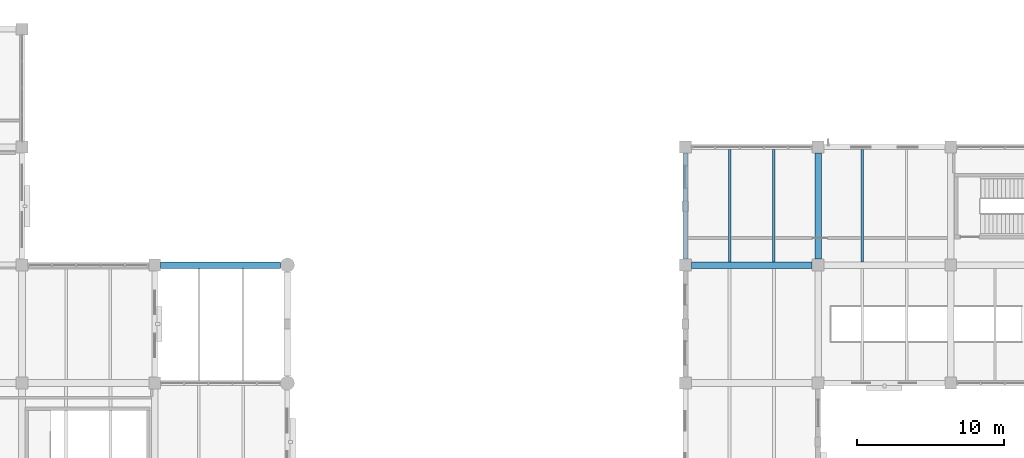
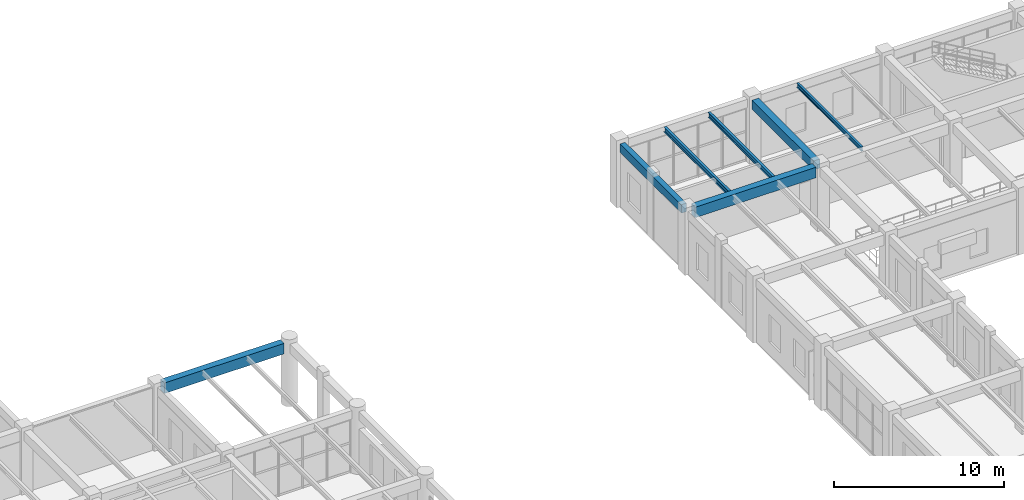
# One storey, part 105 of 178: 7 beams.
"""IFC4 building model written with IfcOpenShell, lengths in metres."""

from ifc_helpers import new_model, si_unit, derived_unit, direction, frame, origin, origin_2d, place, context, subcontext, project, spatial, rectangle, i_section, extrude, material, material_profile, profile_set, type_object, element, save


model = new_model("IFC4")

# Units and contexts
model_context = context("Model", 3, precision=1e-05, world=origin(), true_north=direction((0.0, 1.0)))
body_context = subcontext(model_context, "Body", "Model", "MODEL_VIEW")
ifc_project = project(units=[si_unit("LENGTHUNIT", "METRE"), si_unit("AREAUNIT", "SQUARE_METRE"), si_unit("VOLUMEUNIT", "CUBIC_METRE"), si_unit("PLANEANGLEUNIT", "RADIAN"), si_unit("MASSUNIT", "GRAM", prefix="KILO"), derived_unit("THERMALTRANSMITTANCEUNIT", [(si_unit("MASSUNIT", "GRAM", prefix="KILO"), 1), (si_unit("TIMEUNIT", "SECOND"), -3), (si_unit("THERMODYNAMICTEMPERATUREUNIT", "KELVIN"), -1)])], contexts=[model_context])

# Site, building, storey
site_placement = place(None, origin())
site = spatial("IfcSite", under=ifc_project, at=site_placement, CompositionType="ELEMENT")
building_placement = place(site_placement, origin())
building = spatial("IfcBuilding", under=site, at=building_placement, Name="Zhenchuan Archway Interchange", CompositionType="ELEMENT")
storey_placement = place(building_placement, frame((0.0, 0.0, 5.39990234375)))
storey = spatial("IfcBuildingStorey", under=building, at=storey_placement, Name="L01", CompositionType="ELEMENT", Elevation=5.39990234375)

# Beams
ifc_material_1 = material(Name="Concrete C40", Category="concrete")
ifc_material_profile_1 = material_profile(ifc_material_1, rectangle(XDim=0.449951171875, YDim=0.64990234375, at=origin_2d()), Name="RC 450x650")
ifc_profile_set_1 = profile_set([ifc_material_profile_1], Name="Concrete C40")
beam_type_1 = type_object("IfcBeamType", Name="BM_RC_450x650", PredefinedType="BEAM", material=ifc_profile_set_1)
beam_1_placement = place(storey_placement, frame((108.0, 96.39990234375, 4.18505859375), z_axis=(0.0, 1.0, 0.0), x_axis=(-1.0, 0.0, 0.0)))
element("IfcBeam", 1, at=beam_1_placement, inside=storey, type_object=beam_type_1, Name="Beam 13:N-O (L01)", PredefinedType="BEAM", context=body_context, shape_type="SweptSolid", body=[
    extrude(rectangle(XDim=0.449951171875, YDim=0.64990234375, at=origin_2d()), origin(), (0.0, 0.0, 1.0), 7.2001953125),
])
ifc_material_profile_2 = material_profile(ifc_material_1, rectangle(XDim=0.449951171875, YDim=0.75, at=origin_2d()), Name="RC 450x750")
ifc_profile_set_2 = profile_set([ifc_material_profile_2], Name="Concrete C40")
beam_type_2 = type_object("IfcBeamType", Name="BM_RC_450x750", PredefinedType="BEAM", material=ifc_profile_set_2)
beam_2_placement = place(storey_placement, frame((63.39990234375, 96.0, 4.135009765625), z_axis=(1.0, 0.0, 0.0), x_axis=(0.0, 1.0, 0.0)))
element("IfcBeam", 2, at=beam_2_placement, inside=storey, type_object=beam_type_2, Name="Beam N:8-9 (L01)", PredefinedType="BEAM", context=body_context, shape_type="SweptSolid", body=[
    extrude(rectangle(XDim=0.449951171875, YDim=0.75, at=origin_2d()), origin(), (0.0, 0.0, 1.0), 8.125),
])
beam_3_placement = place(storey_placement, frame((99.39990234375, 96.0, 4.135009765625), z_axis=(1.0, 0.0, 0.0), x_axis=(0.0, 1.0, 0.0)))
element("IfcBeam", 3, at=beam_3_placement, inside=storey, type_object=beam_type_2, Name="Beam N:12-13 (L01)", PredefinedType="BEAM", context=body_context, shape_type="SweptSolid", body=[
    extrude(rectangle(XDim=0.449951171875, YDim=0.75, at=origin_2d()), origin(), (0.0, 0.0, 1.0), 8.2001953125),
])
ifc_material_2 = material(Name="Steel Q355", Category="steel")
ifc_material_profile_3 = material_profile(ifc_material_2, i_section(OverallWidth=0.14990234375, OverallDepth=0.300048828125, WebThickness=0.006591796875, FlangeThickness=0.009033203125, FilletRadius=0.012939453125, at=origin_2d()), Name="HN 300x150")
ifc_profile_set_3 = profile_set([ifc_material_profile_3], Name="Steel Q355")
beam_type_3 = type_object("IfcBeamType", Name="JST_STL_HN300", PredefinedType="JOIST", material=ifc_profile_set_3)
beam_4_placement = place(storey_placement, frame((111.0, 96.22509765625, 4.360107421875), z_axis=(0.0, 1.0, 0.0), x_axis=(-1.0, 0.0, 0.0)))
element("IfcBeam", 4, at=beam_4_placement, inside=storey, type_object=beam_type_3, Name="Secondary joist 13-14/N-O #1 (L01)", PredefinedType="JOIST", context=body_context, shape_type="SweptSolid", body=[
    extrude(i_section(OverallWidth=0.14990234375, OverallDepth=0.300048828125, WebThickness=0.006591796875, FlangeThickness=0.009033203125, FilletRadius=0.012939453125, at=origin_2d()), origin(), (0.0, 0.0, 1.0), 7.599853515625),
])
ifc_material_profile_4 = material_profile(ifc_material_2, i_section(OverallWidth=0.175048828125, OverallDepth=0.35009765625, WebThickness=0.007080078125, FlangeThickness=0.010986328125, FilletRadius=0.013916015625, at=origin_2d()), Name="HN 350x175")
ifc_profile_set_4 = profile_set([ifc_material_profile_4], Name="Steel Q355")
beam_type_4 = type_object("IfcBeamType", Name="JST_STL_HN350", PredefinedType="JOIST", material=ifc_profile_set_4)
for number, where, z_axis, x_axis, name in (
    (5, (102.0, 96.22509765625, 4.335205078125), (0.0, 1.0, 0.0), (-1.0, 0.0, 0.0), "Secondary joist 12-13/N-O #1 (L01)"),
    (6, (105.0, 96.22509765625, 4.335205078125), (0.0, 1.0, 0.0), (-1.0, 0.0, 0.0), "Secondary joist 12-13/N-O #2 (L01)"),
):
    element("IfcBeam", number, at=place(storey_placement, frame(where, z_axis=z_axis, x_axis=x_axis)), inside=storey, type_object=beam_type_4, Name=name, PredefinedType="JOIST", context=body_context, shape_type="SweptSolid", body=[
        extrude(i_section(OverallWidth=0.175048828125, OverallDepth=0.35009765625, WebThickness=0.007080078125, FlangeThickness=0.010986328125, FilletRadius=0.013916015625, at=origin_2d()), origin(), (0.0, 0.0, 1.0), 7.599853515625),
    ])
ifc_material_profile_5 = material_profile(ifc_material_1, rectangle(XDim=0.35009765625, YDim=0.60009765625, at=origin_2d()), Name="RC 350x600")
ifc_profile_set_5 = profile_set([ifc_material_profile_5], Name="Concrete C40")
beam_type_5 = type_object("IfcBeamType", Name="SP_RC_350x600", PredefinedType="SPANDREL", material=ifc_profile_set_5)
beam_5_placement = place(storey_placement, frame((99.0, 96.39990234375, 4.210205078125), z_axis=(0.0, 1.0, 0.0), x_axis=(-1.0, 0.0, 0.0)))
element("IfcBeam", 7, at=beam_5_placement, inside=storey, type_object=beam_type_5, Name="Beam 12:N-O (L01)", PredefinedType="SPANDREL", context=body_context, shape_type="SweptSolid", body=[
    extrude(rectangle(XDim=0.35009765625, YDim=0.60009765625, at=origin_2d()), origin(), (0.0, 0.0, 1.0), 7.2001953125),
])

save(model, "model.ifc")
